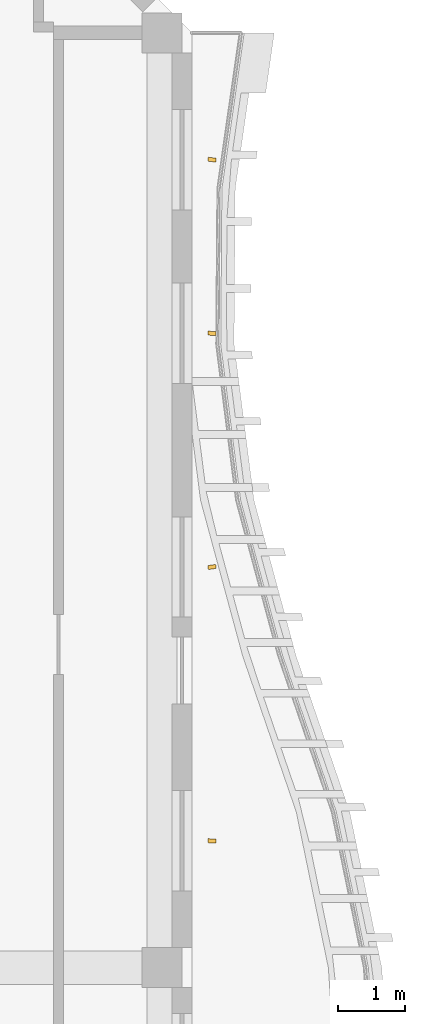
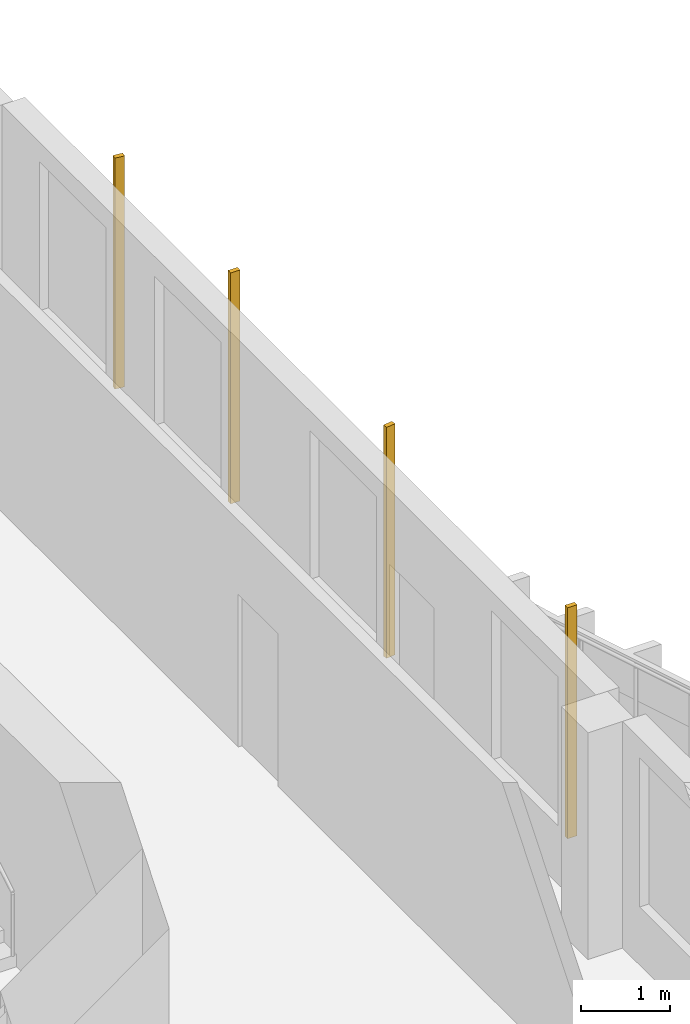
# One storey, part 17 of 17: 4 shading devices.
"""IFC4 building model written with IfcOpenShell, lengths in metres."""

from ifc_helpers import new_model, si_unit, direction, frame, origin, origin_2d, place, context, subcontext, project, spatial, rectangle, extrude, source, transform, mapped, material, material_profile, profile_set, type_object, element, save


model = new_model("IFC4")

# Units and contexts
model_context = context("Model", 3, precision=1e-05, world=origin(), true_north=direction((0.0, 1.0)))
body_context = subcontext(model_context, "Body", "Model", "MODEL_VIEW")
ifc_project = project(units=[si_unit("LENGTHUNIT", "METRE"), si_unit("AREAUNIT", "SQUARE_METRE"), si_unit("VOLUMEUNIT", "CUBIC_METRE"), si_unit("PLANEANGLEUNIT", "RADIAN"), si_unit("MASSUNIT", "GRAM", prefix="KILO")], contexts=[model_context])

# Site, building, storey
site_placement = place(None, origin())
site = spatial("IfcSite", under=ifc_project, at=site_placement, CompositionType="ELEMENT")
building_placement = place(site_placement, origin())
building = spatial("IfcBuilding", under=site, at=building_placement, Name="Kilnfold Tower and Market Hall", CompositionType="ELEMENT")
storey_placement = place(building_placement, frame((0.0, 0.0, 305.199951171875)))
storey = spatial("IfcBuildingStorey", under=building, at=storey_placement, Name="L76", CompositionType="ELEMENT", Elevation=305.199951171875)

# Shading devices
ifc_material = material(Name="Terracotta", Category="masonry")
ifc_material_profile = material_profile(ifc_material, rectangle(XDim=0.06005859375, YDim=0.1201171875, at=origin_2d()), Name="BAG 60x120")
ifc_profile_set = profile_set([ifc_material_profile], Name="Terracotta")
shading_device_type = type_object("IfcShadingDeviceType", Name="BAGUETTE", PredefinedType="USERDEFINED", material=ifc_profile_set)
shared_shape = source(origin(), body_context, "Body", "SweptSolid", [
    extrude(rectangle(XDim=0.06005859375, YDim=0.1201171875, at=origin_2d()), origin(), (0.0, 0.0, 1.0), 3.179931640625),
])
for number, where, z_axis, x_axis, name in (
    (1, (23.800048828125, 9.89990234375, 0.0), (0.0, 0.0, 1.0), (0.014651514821, 0.999892660796, 0.0), "Terracotta baguette L76 E"),
    (2, (23.800048828125, 14.0, 0.0), (0.0, 0.0, 1.0), (-0.137314887474, 0.990527446201, 0.0), "Terracotta baguette L76 E"),
    (3, (23.800048828125, 17.5, 0.0), (0.0, 0.0, 1.0), (0.02281470963, 0.999739710637, 0.0), "Terracotta baguette L76 E"),
    (4, (23.800048828125, 20.10009765625, 0.0), (0.0, 0.0, 1.0), (0.135215821828, 0.990816169391, 0.0), "Terracotta baguette L76 E"),
):
    element("IfcShadingDevice", number, at=place(storey_placement, frame(where, z_axis=z_axis, x_axis=x_axis)), inside=storey, type_object=shading_device_type, Name=name, ObjectType="BAGUETTE", PredefinedType="USERDEFINED", context=body_context, shape_type="MappedRepresentation", body=[
        mapped(shared_shape, transform((0.0, 0.0, 0.0))),
    ])

save(model, "model.ifc")
